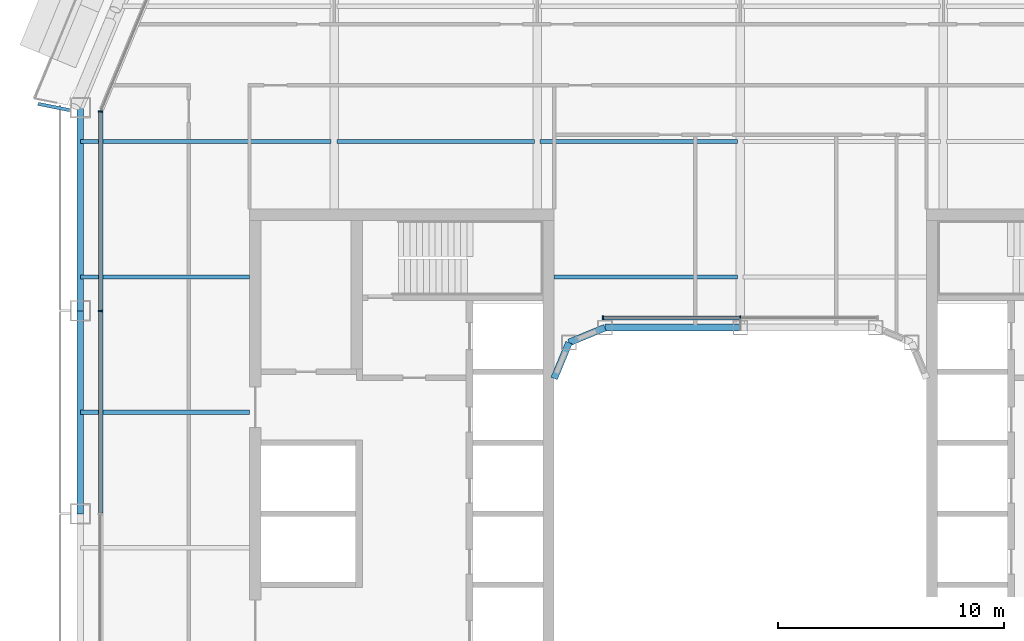
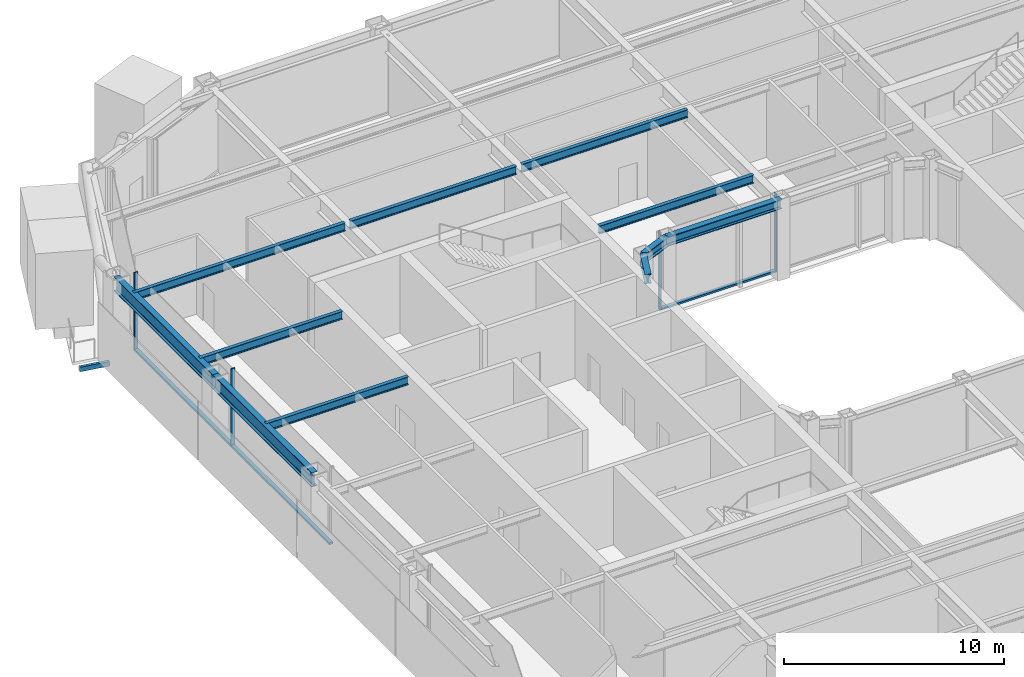
# One storey, part 6 of 23: 12 beams, 7 members, 2 elements without a shape of their own.
"""IFC4 building model written with IfcOpenShell, lengths in metres."""

from ifc_helpers import new_model, si_unit, direction, frame, origin, origin_2d, place, context, subcontext, project, spatial, rectangle, hollow_rectangle, i_section, extrude, material, layer, layer_set, material_profile, profile_set, type_object, element, aggregate, save


model = new_model("IFC4")

# Units and contexts
model_context = context("Model", 3, precision=1e-05, world=origin(), true_north=direction((0.0, 1.0)))
body_context = subcontext(model_context, "Body", "Model", "MODEL_VIEW")
ifc_project = project(units=[si_unit("LENGTHUNIT", "METRE"), si_unit("AREAUNIT", "SQUARE_METRE"), si_unit("VOLUMEUNIT", "CUBIC_METRE"), si_unit("PLANEANGLEUNIT", "RADIAN"), si_unit("MASSUNIT", "GRAM", prefix="KILO")], contexts=[model_context])

# Site, building, storey
site_placement = place(None, origin())
site = spatial("IfcSite", under=ifc_project, at=site_placement, CompositionType="ELEMENT")
building_placement = place(site_placement, origin())
building = spatial("IfcBuilding", under=site, at=building_placement, Name="Siwar Civic Tower", CompositionType="ELEMENT")
storey_placement = place(building_placement, frame((0.0, 0.0, 172.199951171875)))
storey = spatial("IfcBuildingStorey", under=building, at=storey_placement, Name="L37", CompositionType="ELEMENT", Elevation=172.199951171875)

# Beam
ifc_material_1 = material(Name="Steel S355", Category="steel")
ifc_material_profile_1 = material_profile(ifc_material_1, hollow_rectangle(XDim=0.14990234375, YDim=0.25, WallThickness=0.010009765625, at=origin_2d()), Name="RHS250x150x10")
ifc_profile_set_1 = profile_set([ifc_material_profile_1], Name="Steel S355")
beam_type_1 = type_object("IfcBeamType", Name="ENV-BALCONY ARM", PredefinedType="BEAM", material=ifc_profile_set_1)
beam_1_placement = place(storey_placement, frame((-29.709716796875, 17.887451171875, -0.27490234375), z_axis=(-0.980765118081, 0.195191657493, 0.0), x_axis=(-0.195191657493, -0.980765118081, 0.0)))
element("IfcBeam", 1, at=beam_1_placement, inside=storey, type_object=beam_type_1, Name="Balcony cantilever beam NW 3", PredefinedType="BEAM", context=body_context, shape_type="SweptSolid", body=[
    extrude(hollow_rectangle(XDim=0.14990234375, YDim=0.25, WallThickness=0.010009765625, at=origin_2d()), origin(), (0.0, 0.0, 1.0), 1.422119140625),
])

# Curtain wall, members
ifc_material_2 = material(Name="Aluminium and glass", Category="aluminium")
ifc_layer_1 = layer(ifc_material_2, 0.199951171875)
ifc_layer_set_1 = layer_set([ifc_layer_1], Name="Aluminium and glass")
curtain_wall_type_1 = type_object("IfcCurtainWallType", Name="ENV-CW-B", PredefinedType="NOTDEFINED", material=ifc_layer_set_1)
curtain_wall_1_placement = place(storey_placement, origin())
curtain_wall_1 = element("IfcCurtainWall", 2, at=curtain_wall_1_placement, inside=storey, type_object=curtain_wall_type_1, Name="Curtain wall B W", PredefinedType="NOTDEFINED")
ifc_material_3 = material(Name="Aluminium 6063-T6", Category="aluminium")
ifc_material_profile_2 = material_profile(ifc_material_3, rectangle(XDim=0.199951171875, YDim=0.06494140625, at=origin_2d()), Name="AL 200x65")
ifc_profile_set_2 = profile_set([ifc_material_profile_2], Name="Aluminium 6063-T6")
member_type_1 = type_object("IfcMemberType", Name="ENV-MULLION-B", PredefinedType="MULLION", material=ifc_profile_set_2)
member_1_placement = place(storey_placement, frame((-28.35009765625, 17.821044921875, 0.0), z_axis=(0.0, 0.0, 1.0), x_axis=(1.0, 0.0, 0.0)))
member_1 = element("IfcMember", 3, at=member_1_placement, type_object=member_type_1, Name="Mullion B W 1", PredefinedType="MULLION", context=body_context, shape_type="SweptSolid", body=[
    extrude(rectangle(XDim=0.199951171875, YDim=0.06494140625, at=origin_2d()), origin(), (0.0, 0.0, 1.0), 4.35009765625),
])
member_2_placement = place(storey_placement, frame((-28.35009765625, 9.0, 0.0), z_axis=(0.0, 0.0, 1.0), x_axis=(1.0, 0.0, 0.0)))
member_2 = element("IfcMember", 4, at=member_2_placement, type_object=member_type_1, Name="Mullion B W 2", PredefinedType="MULLION", context=body_context, shape_type="SweptSolid", body=[
    extrude(rectangle(XDim=0.199951171875, YDim=0.06494140625, at=origin_2d()), origin(), (0.0, 0.0, 1.0), 4.35009765625),
])

ifc_material_4 = material(Name="Aluminium and glass", Category="aluminium")
ifc_layer_2 = layer(ifc_material_4, 0.179931640625)
ifc_layer_set_2 = layer_set([ifc_layer_2], Name="Aluminium and glass")
curtain_wall_type_2 = type_object("IfcCurtainWallType", Name="ENV-CW-W", PredefinedType="NOTDEFINED", material=ifc_layer_set_2)
curtain_wall_2_placement = place(storey_placement, origin())
curtain_wall_2 = element("IfcCurtainWall", 5, at=curtain_wall_2_placement, inside=storey, type_object=curtain_wall_type_2, Name="Curtain wall W WN", PredefinedType="NOTDEFINED")
ifc_material_5 = material(Name="Aluminium 6063-T6", Category="aluminium")
ifc_material_profile_3 = material_profile(ifc_material_5, rectangle(XDim=0.179931640625, YDim=0.06005859375, at=origin_2d()), Name="AL 180x60")
ifc_profile_set_3 = profile_set([ifc_material_profile_3], Name="Aluminium 6063-T6")
member_type_2 = type_object("IfcMemberType", Name="ENV-MULLION-W", PredefinedType="MULLION", material=ifc_profile_set_3)
member_3_placement = place(storey_placement, frame((0.0, 8.68505859375, 0.0), z_axis=(0.0, 0.0, 1.0), x_axis=(0.0, -1.0, 0.0)))
member_3 = element("IfcMember", 6, at=member_3_placement, type_object=member_type_2, Name="Mullion W WN 2", PredefinedType="MULLION", context=body_context, shape_type="SweptSolid", body=[
    extrude(rectangle(XDim=0.179931640625, YDim=0.06005859375, at=origin_2d()), origin(), (0.0, 0.0, 1.0), 4.35009765625),
])
member_4_placement = place(storey_placement, frame((-6.08642578125, 8.68505859375, 0.0), z_axis=(0.0, 0.0, 1.0), x_axis=(0.0, -1.0, 0.0)))
member_4 = element("IfcMember", 7, at=member_4_placement, type_object=member_type_2, Name="Mullion W WN 3", PredefinedType="MULLION", context=body_context, shape_type="SweptSolid", body=[
    extrude(rectangle(XDim=0.179931640625, YDim=0.06005859375, at=origin_2d()), origin(), (0.0, 0.0, 1.0), 4.35009765625),
])

# Member
ifc_material_6 = material(Name="Aluminium 6063-T6", Category="aluminium")
ifc_material_profile_4 = material_profile(ifc_material_6, rectangle(XDim=0.199951171875, YDim=0.110107421875, at=origin_2d()), Name="AL 200x110")
ifc_profile_set_4 = profile_set([ifc_material_profile_4], Name="Aluminium 6063-T6")
member_type_3 = type_object("IfcMemberType", Name="ENV-TRANSOM-B", PredefinedType="USERDEFINED", material=ifc_profile_set_4)
member_5_placement = place(storey_placement, frame((-28.35009765625, 17.78857421875, 0.054931640625), z_axis=(0.0, -1.0, 0.0), x_axis=(1.0, 0.0, 0.0)))
member_5 = element("IfcMember", 8, at=member_5_placement, type_object=member_type_3, Name="Transom B W 1", ObjectType="TRANSOM", PredefinedType="USERDEFINED", context=body_context, shape_type="SweptSolid", body=[
    extrude(rectangle(XDim=0.199951171875, YDim=0.110107421875, at=origin_2d()), origin(), (0.0, 0.0, 1.0), 8.756103515625),
])

member_6_placement = place(storey_placement, frame((-28.35009765625, 8.967529296875, 0.054931640625), z_axis=(0.0, -1.0, 0.0), x_axis=(1.0, 0.0, 0.0)))
member_6 = element("IfcMember", 9, at=member_6_placement, type_object=member_type_3, Name="Transom B W 2", ObjectType="TRANSOM", PredefinedType="USERDEFINED", context=body_context, shape_type="SweptSolid", body=[
    extrude(rectangle(XDim=0.199951171875, YDim=0.110107421875, at=origin_2d()), origin(), (0.0, 0.0, 1.0), 8.93505859375),
])

aggregate(curtain_wall_1, [member_1, member_2, member_5, member_6])

ifc_material_7 = material(Name="Aluminium 6063-T6", Category="aluminium")
ifc_material_profile_5 = material_profile(ifc_material_7, rectangle(XDim=0.179931640625, YDim=0.10009765625, at=origin_2d()), Name="AL 180x100")
ifc_profile_set_5 = profile_set([ifc_material_profile_5], Name="Aluminium 6063-T6")
member_type_4 = type_object("IfcMemberType", Name="ENV-TRANSOM-W", PredefinedType="USERDEFINED", material=ifc_profile_set_5)
member_7_placement = place(storey_placement, frame((-0.030029296875, 8.68505859375, 0.050048828125), z_axis=(-1.0, 0.0, 0.0), x_axis=(0.0, -1.0, 0.0)))
member_7 = element("IfcMember", 10, at=member_7_placement, type_object=member_type_4, Name="Transom W WN 2", ObjectType="TRANSOM", PredefinedType="USERDEFINED", context=body_context, shape_type="SweptSolid", body=[
    extrude(rectangle(XDim=0.179931640625, YDim=0.10009765625, at=origin_2d()), origin(), (0.0, 0.0, 1.0), 6.026611328125),
])

aggregate(curtain_wall_2, [member_3, member_4, member_7])

# Beams
ifc_material_8 = material(Name="Steel S355", Category="steel")
ifc_material_profile_6 = material_profile(ifc_material_8, i_section(OverallWidth=0.18994140625, OverallDepth=0.449951171875, WebThickness=0.009521484375, FlangeThickness=0.0146484375, FilletRadius=0.02099609375, at=origin_2d()), Name="IPE450")
ifc_profile_set_6 = profile_set([ifc_material_profile_6], Name="Steel S355")
beam_type_2 = type_object("IfcBeamType", Name="STR-FB-IPE450", PredefinedType="JOIST", material=ifc_profile_set_6)
for number, where, z_axis, x_axis, name in (
    (11, (-29.25, 4.5, 4.125), (1.0, 0.0, 0.0), (0.0, 1.0, 0.0), "L37/bm/F025"),
    (12, (-29.25, 10.5, 4.125), (1.0, 0.0, 0.0), (0.0, 1.0, 0.0), "L37/bm/F027"),
):
    element("IfcBeam", number, at=place(storey_placement, frame(where, z_axis=z_axis, x_axis=x_axis)), inside=storey, type_object=beam_type_2, Name=name, PredefinedType="JOIST", context=body_context, shape_type="SweptSolid", body=[
        extrude(i_section(OverallWidth=0.18994140625, OverallDepth=0.449951171875, WebThickness=0.009521484375, FlangeThickness=0.0146484375, FilletRadius=0.02099609375, at=origin_2d()), origin(), (0.0, 0.0, 1.0), 7.5),
    ])
beam_2_placement = place(storey_placement, frame((-8.25, 10.5, 4.125), z_axis=(1.0, 0.0, 0.0), x_axis=(0.0, 1.0, 0.0)))
element("IfcBeam", 13, at=beam_2_placement, inside=storey, type_object=beam_type_2, Name="L37/bm/F028", PredefinedType="JOIST", context=body_context, shape_type="SweptSolid", body=[
    extrude(i_section(OverallWidth=0.18994140625, OverallDepth=0.449951171875, WebThickness=0.009521484375, FlangeThickness=0.0146484375, FilletRadius=0.02099609375, at=origin_2d()), origin(), (0.0, 0.0, 1.0), 8.1201171875),
])
beam_3_placement = place(storey_placement, frame((-29.25, 16.5, 4.125), z_axis=(1.0, 0.0, 0.0), x_axis=(0.0, 1.0, 0.0)))
element("IfcBeam", 14, at=beam_3_placement, inside=storey, type_object=beam_type_2, Name="L37/bm/F031", PredefinedType="JOIST", context=body_context, shape_type="SweptSolid", body=[
    extrude(i_section(OverallWidth=0.18994140625, OverallDepth=0.449951171875, WebThickness=0.009521484375, FlangeThickness=0.0146484375, FilletRadius=0.02099609375, at=origin_2d()), origin(), (0.0, 0.0, 1.0), 11.1201171875),
])
for number, where, z_axis, x_axis, name in (
    (15, (-17.8701171875, 16.5, 4.125), (1.0, 0.0, 0.0), (0.0, 1.0, 0.0), "L37/bm/F032"),
    (16, (-8.8701171875, 16.5, 4.125), (1.0, 0.0, 0.0), (0.0, 1.0, 0.0), "L37/bm/F033"),
):
    element("IfcBeam", number, at=place(storey_placement, frame(where, z_axis=z_axis, x_axis=x_axis)), inside=storey, type_object=beam_type_2, Name=name, PredefinedType="JOIST", context=body_context, shape_type="SweptSolid", body=[
        extrude(i_section(OverallWidth=0.18994140625, OverallDepth=0.449951171875, WebThickness=0.009521484375, FlangeThickness=0.0146484375, FilletRadius=0.02099609375, at=origin_2d()), origin(), (0.0, 0.0, 1.0), 8.740234375),
    ])
ifc_material_9 = material(Name="Steel S355", Category="steel")
ifc_material_profile_7 = material_profile(ifc_material_9, i_section(OverallWidth=0.305908203125, OverallDepth=0.52392578125, WebThickness=0.02099609375, FlangeThickness=0.0400390625, FilletRadius=0.027099609375, at=origin_2d()), Name="HEM500")
ifc_profile_set_7 = profile_set([ifc_material_profile_7], Name="Steel S355")
beam_type_3 = type_object("IfcBeamType", Name="STR-RB-HEM500", PredefinedType="BEAM", material=ifc_profile_set_7)
beam_4_placement = place(storey_placement, frame((-7.591064453125, 7.591064453125, 4.088134765625), z_axis=(0.923901072997, 0.382631424892, 0.0), x_axis=(-0.382631424892, 0.923901072997, 0.0)))
element("IfcBeam", 17, at=beam_4_placement, inside=storey, type_object=beam_type_3, Name="L37/bm/RN0", PredefinedType="BEAM", context=body_context, shape_type="SweptSolid", body=[
    extrude(i_section(OverallWidth=0.305908203125, OverallDepth=0.52392578125, WebThickness=0.02099609375, FlangeThickness=0.0400390625, FilletRadius=0.027099609375, at=origin_2d()), origin(), (0.0, 0.0, 1.0), 1.72216796875),
])
beam_5_placement = place(storey_placement, frame((-6.0, 8.25, 4.088134765625), z_axis=(1.0, 0.0, 0.0), x_axis=(0.0, 1.0, 0.0)))
element("IfcBeam", 18, at=beam_5_placement, inside=storey, type_object=beam_type_3, Name="L37/bm/RN1", PredefinedType="BEAM", context=body_context, shape_type="SweptSolid", body=[
    extrude(i_section(OverallWidth=0.305908203125, OverallDepth=0.52392578125, WebThickness=0.02099609375, FlangeThickness=0.0400390625, FilletRadius=0.027099609375, at=origin_2d()), origin(), (0.0, 0.0, 1.0), 6.0),
])
beam_6_placement = place(storey_placement, frame((-7.591064453125, 7.591064453125, 4.088134765625), z_axis=(-0.382631424892, -0.923901072997, 0.0), x_axis=(0.923901072997, -0.382631424892, 0.0)))
element("IfcBeam", 19, at=beam_6_placement, inside=storey, type_object=beam_type_3, Name="L37/bm/RNEW", PredefinedType="BEAM", context=body_context, shape_type="SweptSolid", body=[
    extrude(i_section(OverallWidth=0.305908203125, OverallDepth=0.52392578125, WebThickness=0.02099609375, FlangeThickness=0.0400390625, FilletRadius=0.027099609375, at=origin_2d()), origin(), (0.0, 0.0, 1.0), 1.72216796875),
])
ifc_material_10 = material(Name="Steel S355", Category="steel")
ifc_material_profile_8 = material_profile(ifc_material_10, i_section(OverallWidth=0.300048828125, OverallDepth=0.800048828125, WebThickness=0.017578125, FlangeThickness=0.032958984375, FilletRadius=0.030029296875, at=origin_2d()), Name="HEB800")
ifc_profile_set_8 = profile_set([ifc_material_profile_8], Name="Steel S355")
beam_type_4 = type_object("IfcBeamType", Name="STR-SB-HEB800", PredefinedType="BEAM", material=ifc_profile_set_8)
for number, where, z_axis, x_axis, name in (
    (20, (-29.25, 18.0, 3.949951171875), (0.0, -1.0, 0.0), (1.0, 0.0, 0.0), "L37/bm/SW-0"),
    (21, (-29.25, 9.0, 3.949951171875), (0.0, -1.0, 0.0), (1.0, 0.0, 0.0), "L37/bm/SW-1"),
):
    element("IfcBeam", number, at=place(storey_placement, frame(where, z_axis=z_axis, x_axis=x_axis)), inside=storey, type_object=beam_type_4, Name=name, PredefinedType="BEAM", context=body_context, shape_type="SweptSolid", body=[
        extrude(i_section(OverallWidth=0.300048828125, OverallDepth=0.800048828125, WebThickness=0.017578125, FlangeThickness=0.032958984375, FilletRadius=0.030029296875, at=origin_2d()), origin(), (0.0, 0.0, 1.0), 9.0),
    ])

save(model, "model.ifc")
